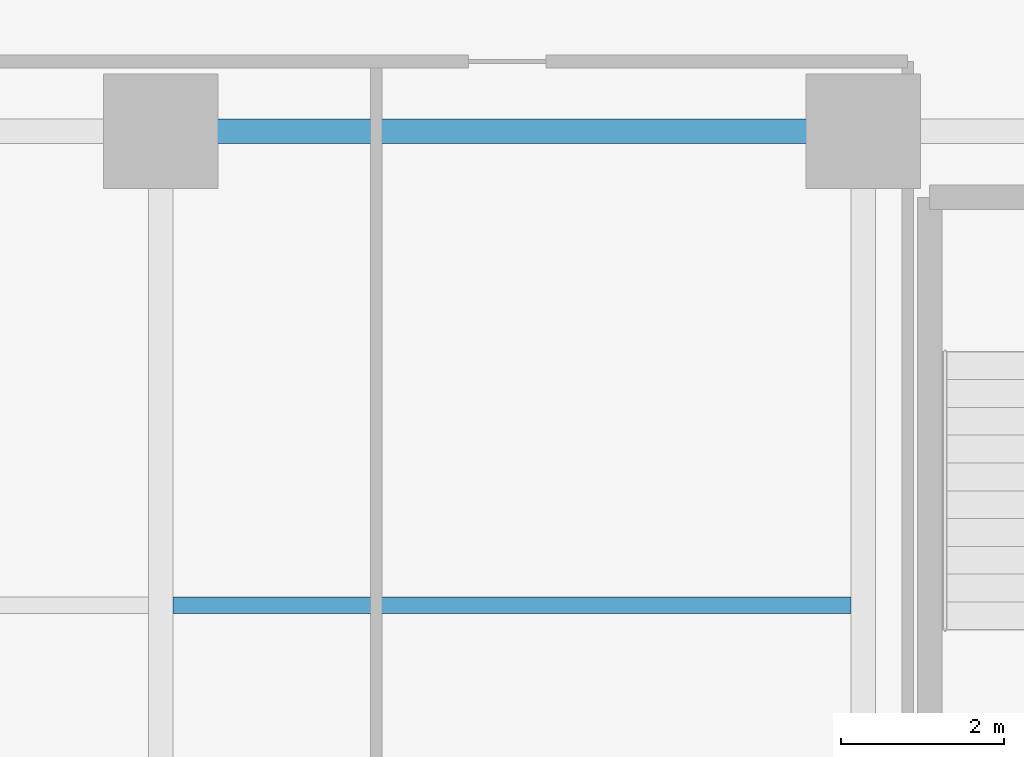
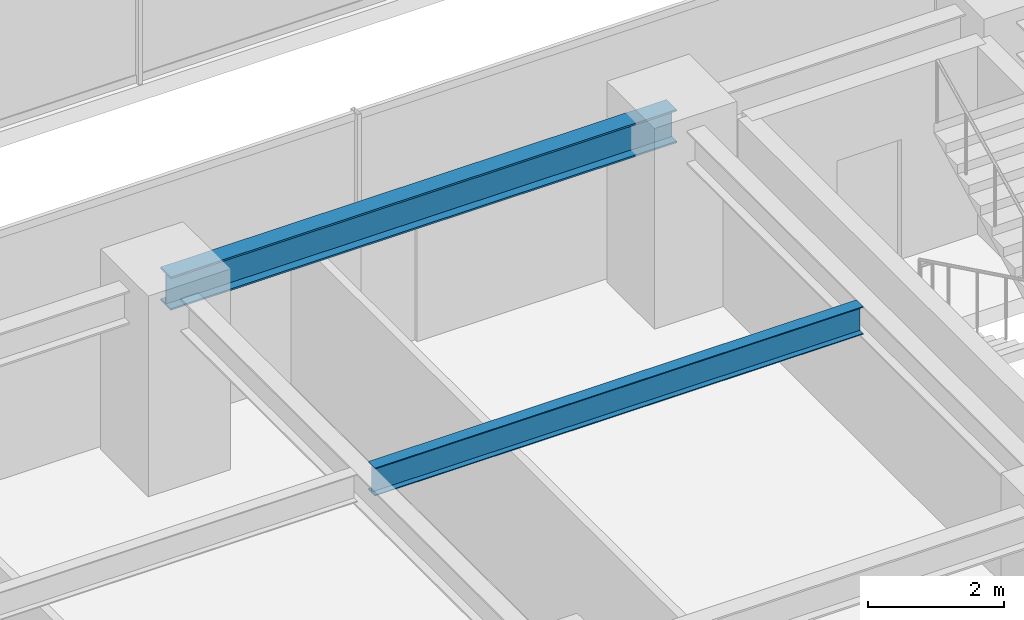
# One storey, part 8 of 37: 2 beams.
"""IFC4 building model written with IfcOpenShell, lengths in metres."""

from ifc_helpers import new_model, si_unit, direction, frame, origin, origin_2d, place, context, subcontext, project, spatial, i_section, extrude, source, transform, mapped, material, material_profile, profile_set, type_object, element, save


model = new_model("IFC4")

# Units and contexts
model_context = context("Model", 3, precision=1e-05, world=origin(), true_north=direction((0.0, 1.0)))
body_context = subcontext(model_context, "Body", "Model", "MODEL_VIEW")
ifc_project = project(units=[si_unit("LENGTHUNIT", "METRE"), si_unit("AREAUNIT", "SQUARE_METRE"), si_unit("VOLUMEUNIT", "CUBIC_METRE"), si_unit("PLANEANGLEUNIT", "RADIAN"), si_unit("MASSUNIT", "GRAM", prefix="KILO")], contexts=[model_context])

# Site, building, storey
site_placement = place(None, origin())
site = spatial("IfcSite", under=ifc_project, at=site_placement, CompositionType="ELEMENT")
building_placement = place(site_placement, origin())
building = spatial("IfcBuilding", under=site, at=building_placement, Name="Nahalor Promenade Grand Hotel", CompositionType="ELEMENT")
storey_placement = place(building_placement, frame((0.0, 0.0, 65.25)))
storey = spatial("IfcBuildingStorey", under=building, at=storey_placement, Name="L15", CompositionType="ELEMENT", Elevation=65.25)

# Beams
ifc_material = material(Name="Steel S355JR", Category="steel")
ifc_material_profile_1 = material_profile(ifc_material, i_section(OverallWidth=0.3, OverallDepth=0.6, WebThickness=0.0155, FlangeThickness=0.03, at=origin_2d()), Name="HEB 600")
ifc_profile_set_1 = profile_set([ifc_material_profile_1], Name="Steel S355JR")
beam_type_1 = type_object("IfcBeamType", Name="Beam-Girder-HEB600", PredefinedType="BEAM", material=ifc_profile_set_1)
shared_shape_1 = source(origin(), body_context, "Body", "SweptSolid", [
    extrude(i_section(OverallWidth=0.3, OverallDepth=0.6, WebThickness=0.0155, FlangeThickness=0.03, at=origin_2d()), origin(), (0.0, 0.0, 1.0), 8.60009765625),
])
beam_1_placement = place(storey_placement, frame((-17.0, -5.39990234375, 3.070068359375), z_axis=(1.0, 0.0, 0.0), x_axis=(0.0, 1.0, 0.0)))
element("IfcBeam", 1, at=beam_1_placement, inside=storey, type_object=beam_type_1, Name="BM-L15-GX-1-1", PredefinedType="BEAM", context=body_context, shape_type="MappedRepresentation", body=[
    mapped(shared_shape_1, transform((0.0, 0.0, 0.0), scale=1.0)),
])
ifc_material_profile_2 = material_profile(ifc_material, i_section(OverallWidth=0.2, OverallDepth=0.5, WebThickness=0.0102, FlangeThickness=0.016, at=origin_2d()), Name="IPE 500")
ifc_profile_set_2 = profile_set([ifc_material_profile_2], Name="Steel S355JR")
beam_type_2 = type_object("IfcBeamType", Name="Beam-Joist-IPE500", PredefinedType="JOIST", material=ifc_profile_set_2)
shared_shape_2 = source(origin(), body_context, "Body", "SweptSolid", [
    extrude(i_section(OverallWidth=0.2, OverallDepth=0.5, WebThickness=0.0102, FlangeThickness=0.016, at=origin_2d()), origin(), (0.0, 0.0, 1.0), 8.300048828125),
])
beam_2_placement = place(storey_placement, frame((-16.85009765625, -11.199951171875, 3.1201171875), z_axis=(1.0, 0.0, 0.0), x_axis=(0.0, 1.0, 0.0)))
element("IfcBeam", 2, at=beam_2_placement, inside=storey, type_object=beam_type_2, Name="BM-L15-JSW-0-1", PredefinedType="JOIST", context=body_context, shape_type="MappedRepresentation", body=[
    mapped(shared_shape_2, transform((0.0, 0.0, 0.0), scale=1.0)),
])

save(model, "model.ifc")
